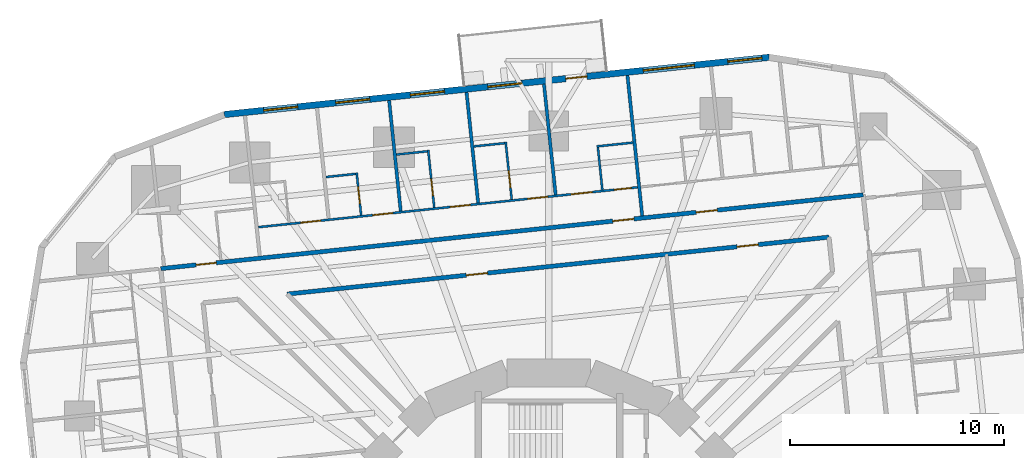
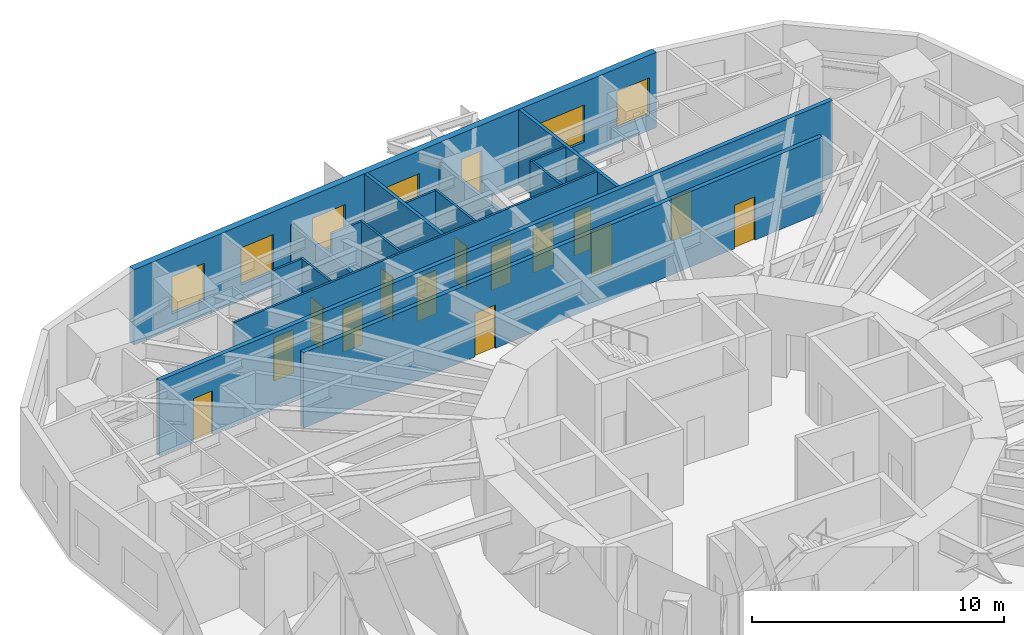
# One storey, part 11 of 15: 16 walls, 15 doors, 6 windows, 21 openings.
"""IFC4 building model written with IfcOpenShell, lengths in metres."""

from ifc_helpers import new_model, si_unit, direction, frame, frame_2d, origin, place, context, subcontext, project, spatial, rectangle, extrude, material, layer, layer_set, type_object, element, fill, save


model = new_model("IFC4")

# Units and contexts
model_context = context("Model", 3, precision=1e-05, world=origin(), true_north=direction((0.0, 1.0)))
body_context = subcontext(model_context, "Body", "Model", "MODEL_VIEW")
ifc_project = project(units=[si_unit("LENGTHUNIT", "METRE"), si_unit("AREAUNIT", "SQUARE_METRE"), si_unit("VOLUMEUNIT", "CUBIC_METRE"), si_unit("PLANEANGLEUNIT", "RADIAN"), si_unit("MASSUNIT", "GRAM", prefix="KILO")], contexts=[model_context])

# Site, building, storey
site_placement = place(None, origin())
site = spatial("IfcSite", under=ifc_project, at=site_placement, CompositionType="ELEMENT")
building_placement = place(site_placement, origin())
building = spatial("IfcBuilding", under=site, at=building_placement, Name="Nakasero Lantern House", CompositionType="ELEMENT")
storey_placement = place(building_placement, frame((0.0, 0.0, 68.199951171875)))
storey = spatial("IfcBuildingStorey", under=building, at=storey_placement, Name="L16", CompositionType="ELEMENT", Elevation=68.199951171875)

# Wall, openings, doors
ifc_material_1 = material(Name="Blockwork", Category="masonry")
ifc_layer_1 = layer(ifc_material_1, 0.10009765625)
ifc_layer_set_1 = layer_set([ifc_layer_1], Name="Cluster hall wall 100")
wall_type_1 = type_object("IfcWallType", Name="Cluster hall wall 100", PredefinedType="PARTITIONING", material=ifc_layer_set_1)
wall_1_placement = place(storey_placement, frame((4.143798828125, 18.484375, 0.0), z_axis=(0.0, 0.0, 1.0), x_axis=(-0.994522331519, -0.104524313484, 0.0)))
wall_1 = element("IfcWall", 1, at=wall_1_placement, inside=storey, type_object=wall_type_1, Name="Cluster hall wall L16 HW1-1", PredefinedType="PARTITIONING", context=body_context, shape_type="SweptSolid", body=[
    extrude(rectangle(XDim=17.8193359375, YDim=0.10009765625, at=frame_2d((8.90966796875, 0.0))), origin(), (0.0, 0.0, 1.0), 3.650146484375),
])
opening_1_placement = place(wall_1_placement, frame((2.125, 0.0, 0.0)))
opening_1 = element("IfcOpeningElement", 2, at=opening_1_placement, cuts=wall_1, Name="Opening D03", PredefinedType="OPENING", context=body_context, shape_type="SweptSolid", body=[
    extrude(rectangle(XDim=1.0, YDim=2.10009765625, at=frame_2d((0.5, 1.050048828125))), frame((0.0, 0.070068359375, 0.0), z_axis=(0.0, -1.0, 0.0), x_axis=(1.0, 0.0, 0.0)), (0.0, 0.0, 1.0), 0.14013671875),
])
opening_2_placement = place(wall_1_placement, frame((0.300048828125, 0.0, 0.0)))
opening_2 = element("IfcOpeningElement", 3, at=opening_2_placement, cuts=wall_1, Name="Opening D02", PredefinedType="OPENING", context=body_context, shape_type="SweptSolid", body=[
    extrude(rectangle(XDim=0.800048828125, YDim=2.10009765625, at=frame_2d((0.39990234375, 1.050048828125))), frame((0.0, 0.070068359375, 0.0), z_axis=(0.0, -1.0, 0.0), x_axis=(1.0, 0.0, 0.0)), (0.0, 0.0, 1.0), 0.14013671875),
])
opening_3_placement = place(wall_1_placement, frame((4.22119140625, 0.0, 0.0)))
opening_3 = element("IfcOpeningElement", 4, at=opening_3_placement, cuts=wall_1, Name="Opening D01", PredefinedType="OPENING", context=body_context, shape_type="SweptSolid", body=[
    extrude(rectangle(XDim=0.949951171875, YDim=2.10009765625, at=frame_2d((0.47509765625, 1.050048828125))), frame((0.0, 0.070068359375, 0.0), z_axis=(0.0, -1.0, 0.0), x_axis=(1.0, 0.0, 0.0)), (0.0, 0.0, 1.0), 0.14013671875),
])
opening_4_placement = place(wall_1_placement, frame((7.859619140625, 0.0, 0.0)))
opening_4 = element("IfcOpeningElement", 5, at=opening_4_placement, cuts=wall_1, Name="Opening D01", PredefinedType="OPENING", context=body_context, shape_type="SweptSolid", body=[
    extrude(rectangle(XDim=0.949951171875, YDim=2.10009765625, at=frame_2d((0.47509765625, 1.050048828125))), frame((0.0, 0.070068359375, 0.0), z_axis=(0.0, -1.0, 0.0), x_axis=(1.0, 0.0, 0.0)), (0.0, 0.0, 1.0), 0.14013671875),
])
opening_5_placement = place(wall_1_placement, frame((11.498291015625, 0.0, 0.0)))
opening_5 = element("IfcOpeningElement", 6, at=opening_5_placement, cuts=wall_1, Name="Opening D01", PredefinedType="OPENING", context=body_context, shape_type="SweptSolid", body=[
    extrude(rectangle(XDim=0.949951171875, YDim=2.10009765625, at=frame_2d((0.47509765625, 1.050048828125))), frame((0.0, 0.070068359375, 0.0), z_axis=(0.0, -1.0, 0.0), x_axis=(1.0, 0.0, 0.0)), (0.0, 0.0, 1.0), 0.14013671875),
])
opening_6_placement = place(wall_1_placement, frame((14.8837890625, 0.0, 0.0)))
opening_6 = element("IfcOpeningElement", 7, at=opening_6_placement, cuts=wall_1, Name="Opening D01", PredefinedType="OPENING", context=body_context, shape_type="SweptSolid", body=[
    extrude(rectangle(XDim=0.949951171875, YDim=2.10009765625, at=frame_2d((0.47509765625, 1.050048828125))), frame((0.0, 0.070068359375, 0.0), z_axis=(0.0, -1.0, 0.0), x_axis=(1.0, 0.0, 0.0)), (0.0, 0.0, 1.0), 0.14013671875),
])
ifc_material_2 = material(Name="Timber C24", Category="wood")
door_type_1 = type_object("IfcDoorType", Name="Bedroom door FD30S 950", OperationType="SINGLE_SWING_LEFT", PredefinedType="DOOR", material=ifc_material_2)
door_1_placement = place(opening_3_placement, origin())
door_1 = element("IfcDoor", 8, at=door_1_placement, inside=storey, type_object=door_type_1, Name="Door L16 D1-04", OperationType="SINGLE_SWING_LEFT", OverallHeight=2.10009765625, OverallWidth=0.949951171875, PredefinedType="DOOR", context=body_context, shape_type="SweptSolid", body=[
    extrude(rectangle(XDim=0.949951171875, YDim=2.10009765625, at=frame_2d((0.47509765625, 1.050048828125))), frame((0.0, 0.02490234375, 0.0), z_axis=(0.0, -1.0, 0.0), x_axis=(1.0, 0.0, 0.0)), (0.0, 0.0, 1.0), 0.050048828125),
])
fill(opening_3, door_1)
door_2_placement = place(opening_4_placement, origin())
door_2 = element("IfcDoor", 9, at=door_2_placement, inside=storey, type_object=door_type_1, Name="Door L16 D1-05", OperationType="SINGLE_SWING_LEFT", OverallHeight=2.10009765625, OverallWidth=0.949951171875, PredefinedType="DOOR", context=body_context, shape_type="SweptSolid", body=[
    extrude(rectangle(XDim=0.949951171875, YDim=2.10009765625, at=frame_2d((0.47509765625, 1.050048828125))), frame((0.0, 0.02490234375, 0.0), z_axis=(0.0, -1.0, 0.0), x_axis=(1.0, 0.0, 0.0)), (0.0, 0.0, 1.0), 0.050048828125),
])
fill(opening_4, door_2)
door_3_placement = place(opening_5_placement, origin())
door_3 = element("IfcDoor", 10, at=door_3_placement, inside=storey, type_object=door_type_1, Name="Door L16 D1-06", OperationType="SINGLE_SWING_RIGHT", OverallHeight=2.10009765625, OverallWidth=0.949951171875, PredefinedType="DOOR", context=body_context, shape_type="SweptSolid", body=[
    extrude(rectangle(XDim=0.949951171875, YDim=2.10009765625, at=frame_2d((0.47509765625, 1.050048828125))), frame((0.0, 0.02490234375, 0.0), z_axis=(0.0, -1.0, 0.0), x_axis=(1.0, 0.0, 0.0)), (0.0, 0.0, 1.0), 0.050048828125),
])
fill(opening_5, door_3)
door_4_placement = place(opening_6_placement, origin())
door_4 = element("IfcDoor", 11, at=door_4_placement, inside=storey, type_object=door_type_1, Name="Door L16 D1-07", OperationType="SINGLE_SWING_RIGHT", OverallHeight=2.10009765625, OverallWidth=0.949951171875, PredefinedType="DOOR", context=body_context, shape_type="SweptSolid", body=[
    extrude(rectangle(XDim=0.949951171875, YDim=2.10009765625, at=frame_2d((0.47509765625, 1.050048828125))), frame((0.0, 0.02490234375, 0.0), z_axis=(0.0, -1.0, 0.0), x_axis=(1.0, 0.0, 0.0)), (0.0, 0.0, 1.0), 0.050048828125),
])
fill(opening_6, door_4)
ifc_material_3 = material(Name="Timber C24", Category="wood")
door_type_2 = type_object("IfcDoorType", Name="En-suite door 800", OperationType="SINGLE_SWING_RIGHT", PredefinedType="DOOR", material=ifc_material_3)
door_5_placement = place(opening_2_placement, origin())
door_5 = element("IfcDoor", 12, at=door_5_placement, inside=storey, type_object=door_type_2, Name="Door L16 DSH1-1", OperationType="SINGLE_SWING_LEFT", OverallHeight=2.10009765625, OverallWidth=0.800048828125, PredefinedType="DOOR", context=body_context, shape_type="SweptSolid", body=[
    extrude(rectangle(XDim=0.800048828125, YDim=2.10009765625, at=frame_2d((0.39990234375, 1.050048828125))), frame((0.0, 0.02490234375, 0.0), z_axis=(0.0, -1.0, 0.0), x_axis=(1.0, 0.0, 0.0)), (0.0, 0.0, 1.0), 0.050048828125),
])
fill(opening_2, door_5)
ifc_material_4 = material(Name="Timber C24", Category="wood")
door_type_3 = type_object("IfcDoorType", Name="Lounge door FD30S 1000", OperationType="SINGLE_SWING_LEFT", PredefinedType="DOOR", material=ifc_material_4)
door_6_placement = place(opening_1_placement, origin())
door_6 = element("IfcDoor", 13, at=door_6_placement, inside=storey, type_object=door_type_3, Name="Door L16 DH1-1", OperationType="SINGLE_SWING_LEFT", OverallHeight=2.10009765625, OverallWidth=1.0, PredefinedType="DOOR", context=body_context, shape_type="SweptSolid", body=[
    extrude(rectangle(XDim=1.0, YDim=2.10009765625, at=frame_2d((0.5, 1.050048828125))), frame((0.0, 0.02490234375, 0.0), z_axis=(0.0, -1.0, 0.0), x_axis=(1.0, 0.0, 0.0)), (0.0, 0.0, 1.0), 0.050048828125),
])
fill(opening_1, door_6)

ifc_material_5 = material(Name="Blockwork", Category="masonry")
ifc_layer_2 = layer(ifc_material_5, 0.199951171875)
ifc_layer_set_2 = layer_set([ifc_layer_2], Name="Corridor wall 200")
wall_type_2 = type_object("IfcWallType", Name="Corridor wall 200", PredefinedType="PARTITIONING", material=ifc_layer_set_2)
wall_2_placement = place(storey_placement, frame((14.684814453125, 18.13427734375, 0.0), z_axis=(0.0, 0.0, 1.0), x_axis=(-0.994521777723, -0.10452958258, 0.0)))
wall_2 = element("IfcWall", 14, at=wall_2_placement, inside=storey, type_object=wall_type_2, Name="Corridor wall L16 CW1", PredefinedType="PARTITIONING", context=body_context, shape_type="SweptSolid", body=[
    extrude(rectangle(XDim=32.999755859375, YDim=0.199951171875, at=frame_2d((16.5, 0.0))), origin(), (0.0, 0.0, 1.0), 3.650146484375),
])
opening_7_placement = place(wall_2_placement, frame((6.8505859375, 0.0, 0.0)))
opening_7 = element("IfcOpeningElement", 15, at=opening_7_placement, cuts=wall_2, Name="Opening D14", PredefinedType="OPENING", context=body_context, shape_type="SweptSolid", body=[
    extrude(rectangle(XDim=1.0, YDim=2.10009765625, at=frame_2d((0.5, 1.050048828125))), frame((0.0, 0.119873046875, 0.0), z_axis=(0.0, -1.0, 0.0), x_axis=(1.0, 0.0, 0.0)), (0.0, 0.0, 1.0), 0.239990234375),
])
opening_8_placement = place(wall_2_placement, frame((10.771728515625, 0.0, 0.0)))
opening_8 = element("IfcOpeningElement", 16, at=opening_8_placement, cuts=wall_2, Name="Opening D14", PredefinedType="OPENING", context=body_context, shape_type="SweptSolid", body=[
    extrude(rectangle(XDim=1.0, YDim=2.10009765625, at=frame_2d((0.5, 1.050048828125))), frame((0.0, 0.119873046875, 0.0), z_axis=(0.0, -1.0, 0.0), x_axis=(1.0, 0.0, 0.0)), (0.0, 0.0, 1.0), 0.239990234375),
])
opening_9_placement = place(wall_2_placement, frame((30.39111328125, 0.0, 0.0)))
opening_9 = element("IfcOpeningElement", 17, at=opening_9_placement, cuts=wall_2, Name="Opening D01", PredefinedType="OPENING", context=body_context, shape_type="SweptSolid", body=[
    extrude(rectangle(XDim=0.949951171875, YDim=2.10009765625, at=frame_2d((0.47509765625, 1.050048828125))), frame((0.0, 0.119873046875, 0.0), z_axis=(0.0, -1.0, 0.0), x_axis=(1.0, 0.0, 0.0)), (0.0, 0.0, 1.0), 0.239990234375),
])
door_7_placement = place(opening_9_placement, origin())
door_7 = element("IfcDoor", 18, at=door_7_placement, inside=storey, type_object=door_type_1, Name="Door L16 D1-08", OperationType="SINGLE_SWING_RIGHT", OverallHeight=2.10009765625, OverallWidth=0.949951171875, PredefinedType="DOOR", context=body_context, shape_type="SweptSolid", body=[
    extrude(rectangle(XDim=0.949951171875, YDim=2.10009765625, at=frame_2d((0.47509765625, 1.050048828125))), frame((0.0, 0.02490234375, 0.0), z_axis=(0.0, -1.0, 0.0), x_axis=(1.0, 0.0, 0.0)), (0.0, 0.0, 1.0), 0.050048828125),
])
fill(opening_9, door_7)
ifc_material_6 = material(Name="Timber C24", Category="wood")
door_type_4 = type_object("IfcDoorType", Name="Cluster entrance door FD30S 1000", OperationType="SINGLE_SWING_LEFT", PredefinedType="DOOR", material=ifc_material_6)
door_8_placement = place(opening_7_placement, origin())
door_8 = element("IfcDoor", 19, at=door_8_placement, inside=storey, type_object=door_type_4, Name="Door L16 DF1-0", OperationType="SINGLE_SWING_LEFT", OverallHeight=2.10009765625, OverallWidth=1.0, PredefinedType="DOOR", context=body_context, shape_type="SweptSolid", body=[
    extrude(rectangle(XDim=1.0, YDim=2.10009765625, at=frame_2d((0.5, 1.050048828125))), frame((0.0, 0.02490234375, 0.0), z_axis=(0.0, -1.0, 0.0), x_axis=(1.0, 0.0, 0.0)), (0.0, 0.0, 1.0), 0.050048828125),
])
fill(opening_7, door_8)
door_9_placement = place(opening_8_placement, origin())
door_9 = element("IfcDoor", 20, at=door_9_placement, inside=storey, type_object=door_type_4, Name="Door L16 DF1-1", OperationType="SINGLE_SWING_LEFT", OverallHeight=2.10009765625, OverallWidth=1.0, PredefinedType="DOOR", context=body_context, shape_type="SweptSolid", body=[
    extrude(rectangle(XDim=1.0, YDim=2.10009765625, at=frame_2d((0.5, 1.050048828125))), frame((0.0, 0.02490234375, 0.0), z_axis=(0.0, -1.0, 0.0), x_axis=(1.0, 0.0, 0.0)), (0.0, 0.0, 1.0), 0.050048828125),
])
fill(opening_8, door_9)

wall_3_placement = place(storey_placement, frame((13.0830078125, 16.156005859375, 0.0), z_axis=(0.0, 0.0, 1.0), x_axis=(-0.994522473358, -0.104522963916, 0.0)))
wall_3 = element("IfcWall", 21, at=wall_3_placement, inside=storey, type_object=wall_type_2, Name="Corridor wall L16 IW1-0", PredefinedType="PARTITIONING", context=body_context, shape_type="SweptSolid", body=[
    extrude(rectangle(XDim=25.44580078125, YDim=0.199951171875, at=frame_2d((12.722900390625, 0.0))), origin(), (0.0, 0.0, 1.0), 3.650146484375),
])
opening_10_placement = place(wall_3_placement, frame((3.31689453125, 0.0, 0.0)))
opening_10 = element("IfcOpeningElement", 22, at=opening_10_placement, cuts=wall_3, Name="Opening D07", PredefinedType="OPENING", context=body_context, shape_type="SweptSolid", body=[
    extrude(rectangle(XDim=1.0, YDim=2.10009765625, at=frame_2d((0.5, 1.050048828125))), frame((0.0, 0.119873046875, 0.0), z_axis=(0.0, -1.0, 0.0), x_axis=(1.0, 0.0, 0.0)), (0.0, 0.0, 1.0), 0.239990234375),
])
opening_11_placement = place(wall_3_placement, frame((16.039794921875, 0.0, 0.0)))
opening_11 = element("IfcOpeningElement", 23, at=opening_11_placement, cuts=wall_3, Name="Opening D07", PredefinedType="OPENING", context=body_context, shape_type="SweptSolid", body=[
    extrude(rectangle(XDim=1.0, YDim=2.10009765625, at=frame_2d((0.5, 1.050048828125))), frame((0.0, 0.119873046875, 0.0), z_axis=(0.0, -1.0, 0.0), x_axis=(1.0, 0.0, 0.0)), (0.0, 0.0, 1.0), 0.239990234375),
])
ifc_material_7 = material(Name="Timber C24", Category="wood")
door_type_5 = type_object("IfcDoorType", Name="Room door FD30S 1000", OperationType="SINGLE_SWING_LEFT", PredefinedType="DOOR", material=ifc_material_7)
door_10_placement = place(opening_10_placement, origin())
door_10 = element("IfcDoor", 24, at=door_10_placement, inside=storey, type_object=door_type_5, Name="Door L16 DI2", OperationType="SINGLE_SWING_LEFT", OverallHeight=2.10009765625, OverallWidth=1.0, PredefinedType="DOOR", context=body_context, shape_type="SweptSolid", body=[
    extrude(rectangle(XDim=1.0, YDim=2.10009765625, at=frame_2d((0.5, 1.050048828125))), frame((0.0, 0.02490234375, 0.0), z_axis=(0.0, -1.0, 0.0), x_axis=(1.0, 0.0, 0.0)), (0.0, 0.0, 1.0), 0.050048828125),
])
fill(opening_10, door_10)
door_11_placement = place(opening_11_placement, origin())
door_11 = element("IfcDoor", 25, at=door_11_placement, inside=storey, type_object=door_type_5, Name="Door L16 DI2S", OperationType="SINGLE_SWING_RIGHT", OverallHeight=2.10009765625, OverallWidth=1.0, PredefinedType="DOOR", context=body_context, shape_type="SweptSolid", body=[
    extrude(rectangle(XDim=1.0, YDim=2.10009765625, at=frame_2d((0.5, 1.050048828125))), frame((0.0, 0.02490234375, 0.0), z_axis=(0.0, -1.0, 0.0), x_axis=(1.0, 0.0, 0.0)), (0.0, 0.0, 1.0), 0.050048828125),
])
fill(opening_11, door_11)

# Walls
ifc_material_8 = material(Name="Blockwork", Category="masonry")
ifc_layer_3 = layer(ifc_material_8, 0.10009765625)
ifc_layer_set_3 = layer_set([ifc_layer_3], Name="En-suite wall 100")
wall_type_3 = type_object("IfcWallType", Name="En-suite wall 100", PredefinedType="PARTITIONING", material=ifc_layer_set_3)
wall_4_placement = place(storey_placement, frame((2.49755859375, 18.361572265625, 0.0), z_axis=(0.0, 0.0, 1.0), x_axis=(-0.104509292252, 0.994523910136, 0.0)))
element("IfcWall", 26, at=wall_4_placement, inside=storey, type_object=wall_type_3, Name="En-suite wall L16 SS1-1", PredefinedType="PARTITIONING", context=body_context, shape_type="SweptSolid", body=[
    extrude(rectangle(XDim=2.10009765625, YDim=0.10009765625, at=frame_2d((1.050048828125, 0.0))), origin(), (0.0, 0.0, 1.0), 3.650146484375),
])
wall_5_placement = place(storey_placement, frame((3.92431640625, 20.572998046875, 0.0), z_axis=(0.0, 0.0, 1.0), x_axis=(-0.994519608382, -0.104550220202, 0.0)))
element("IfcWall", 27, at=wall_5_placement, inside=storey, type_object=wall_type_3, Name="En-suite wall L16 SE1-1", PredefinedType="PARTITIONING", context=body_context, shape_type="SweptSolid", body=[
    extrude(rectangle(XDim=1.699951171875, YDim=0.10009765625, at=frame_2d((0.85009765625, 0.0))), origin(), (0.0, 0.0, 1.0), 3.650146484375),
])

# Wall, opening, door
wall_6_placement = place(storey_placement, frame((-1.73876953125, 17.91650390625, 0.0), z_axis=(0.0, 0.0, 1.0), x_axis=(-0.104534153452, 0.994521297289, 0.0)))
wall_6 = element("IfcWall", 28, at=wall_6_placement, inside=storey, type_object=wall_type_3, Name="En-suite wall L16 ES1-04", PredefinedType="PARTITIONING", context=body_context, shape_type="SweptSolid", body=[
    extrude(rectangle(XDim=2.699951171875, YDim=0.10009765625, at=frame_2d((1.35009765625, 0.0))), origin(), (0.0, 0.0, 1.0), 3.650146484375),
])
opening_12_placement = place(wall_6_placement, frame((0.550048828125, 0.0, 0.0)))
opening_12 = element("IfcOpeningElement", 29, at=opening_12_placement, cuts=wall_6, Name="Opening D02", PredefinedType="OPENING", context=body_context, shape_type="SweptSolid", body=[
    extrude(rectangle(XDim=0.800048828125, YDim=2.10009765625, at=frame_2d((0.39990234375, 1.050048828125))), frame((0.0, 0.070068359375, 0.0), z_axis=(0.0, -1.0, 0.0), x_axis=(1.0, 0.0, 0.0)), (0.0, 0.0, 1.0), 0.14013671875),
])
door_12_placement = place(opening_12_placement, origin())
door_12 = element("IfcDoor", 30, at=door_12_placement, inside=storey, type_object=door_type_2, Name="Door L16 DE1-04", OperationType="SINGLE_SWING_LEFT", OverallHeight=2.10009765625, OverallWidth=0.800048828125, PredefinedType="DOOR", context=body_context, shape_type="SweptSolid", body=[
    extrude(rectangle(XDim=0.800048828125, YDim=2.10009765625, at=frame_2d((0.39990234375, 1.050048828125))), frame((0.0, 0.02490234375, 0.0), z_axis=(0.0, -1.0, 0.0), x_axis=(1.0, 0.0, 0.0)), (0.0, 0.0, 1.0), 0.050048828125),
])
fill(opening_12, door_12)

# Wall
wall_7_placement = place(storey_placement, frame((-2.0654296875, 20.546630859375, 0.0), z_axis=(0.0, 0.0, 1.0), x_axis=(-0.994519282274, -0.10455332221, 0.0)))
element("IfcWall", 31, at=wall_7_placement, inside=storey, type_object=wall_type_3, Name="En-suite wall L16 EE1-04", PredefinedType="PARTITIONING", context=body_context, shape_type="SweptSolid", body=[
    extrude(rectangle(XDim=1.4501953125, YDim=0.10009765625, at=frame_2d((0.72509765625, 0.0))), origin(), (0.0, 0.0, 1.0), 3.650146484375),
])

# Wall, opening, door
wall_8_placement = place(storey_placement, frame((-5.357421875, 17.5361328125, 0.0), z_axis=(0.0, 0.0, 1.0), x_axis=(-0.104534153452, 0.994521297289, 0.0)))
wall_8 = element("IfcWall", 32, at=wall_8_placement, inside=storey, type_object=wall_type_3, Name="En-suite wall L16 ES1-05", PredefinedType="PARTITIONING", context=body_context, shape_type="SweptSolid", body=[
    extrude(rectangle(XDim=2.699951171875, YDim=0.10009765625, at=frame_2d((1.35009765625, 0.0))), origin(), (0.0, 0.0, 1.0), 3.650146484375),
])
opening_13_placement = place(wall_8_placement, frame((0.550048828125, 0.0, 0.0)))
opening_13 = element("IfcOpeningElement", 33, at=opening_13_placement, cuts=wall_8, Name="Opening D02", PredefinedType="OPENING", context=body_context, shape_type="SweptSolid", body=[
    extrude(rectangle(XDim=0.800048828125, YDim=2.10009765625, at=frame_2d((0.39990234375, 1.050048828125))), frame((0.0, 0.070068359375, 0.0), z_axis=(0.0, -1.0, 0.0), x_axis=(1.0, 0.0, 0.0)), (0.0, 0.0, 1.0), 0.14013671875),
])
door_13_placement = place(opening_13_placement, origin())
door_13 = element("IfcDoor", 34, at=door_13_placement, inside=storey, type_object=door_type_2, Name="Door L16 DE1-05", OperationType="SINGLE_SWING_LEFT", OverallHeight=2.10009765625, OverallWidth=0.800048828125, PredefinedType="DOOR", context=body_context, shape_type="SweptSolid", body=[
    extrude(rectangle(XDim=0.800048828125, YDim=2.10009765625, at=frame_2d((0.39990234375, 1.050048828125))), frame((0.0, 0.02490234375, 0.0), z_axis=(0.0, -1.0, 0.0), x_axis=(1.0, 0.0, 0.0)), (0.0, 0.0, 1.0), 0.050048828125),
])
fill(opening_13, door_13)

# Wall
wall_9_placement = place(storey_placement, frame((-5.68408203125, 20.166259765625, 0.0), z_axis=(0.0, 0.0, 1.0), x_axis=(-0.994519282274, -0.10455332221, 0.0)))
element("IfcWall", 35, at=wall_9_placement, inside=storey, type_object=wall_type_3, Name="En-suite wall L16 EE1-05", PredefinedType="PARTITIONING", context=body_context, shape_type="SweptSolid", body=[
    extrude(rectangle(XDim=1.4501953125, YDim=0.10009765625, at=frame_2d((0.72509765625, 0.0))), origin(), (0.0, 0.0, 1.0), 3.650146484375),
])

# Wall, opening, door
wall_10_placement = place(storey_placement, frame((-8.774169921875, 17.177001953125, 0.0), z_axis=(0.0, 0.0, 1.0), x_axis=(-0.104494148666, 0.99452550138, 0.0)))
wall_10 = element("IfcWall", 36, at=wall_10_placement, inside=storey, type_object=wall_type_3, Name="En-suite wall L16 ES1-06", PredefinedType="PARTITIONING", context=body_context, shape_type="SweptSolid", body=[
    extrude(rectangle(XDim=2.0, YDim=0.10009765625, at=frame_2d((1.0, 0.0))), origin(), (0.0, 0.0, 1.0), 3.650146484375),
])
opening_14_placement = place(wall_10_placement, frame((0.550048828125, 0.0, 0.0)))
opening_14 = element("IfcOpeningElement", 37, at=opening_14_placement, cuts=wall_10, Name="Opening D02", PredefinedType="OPENING", context=body_context, shape_type="SweptSolid", body=[
    extrude(rectangle(XDim=0.800048828125, YDim=2.10009765625, at=frame_2d((0.39990234375, 1.050048828125))), frame((0.0, 0.070068359375, 0.0), z_axis=(0.0, -1.0, 0.0), x_axis=(1.0, 0.0, 0.0)), (0.0, 0.0, 1.0), 0.14013671875),
])
door_14_placement = place(opening_14_placement, origin())
door_14 = element("IfcDoor", 38, at=door_14_placement, inside=storey, type_object=door_type_2, Name="Door L16 DE1-06", OperationType="SINGLE_SWING_LEFT", OverallHeight=2.10009765625, OverallWidth=0.800048828125, PredefinedType="DOOR", context=body_context, shape_type="SweptSolid", body=[
    extrude(rectangle(XDim=0.800048828125, YDim=2.10009765625, at=frame_2d((0.39990234375, 1.050048828125))), frame((0.0, 0.02490234375, 0.0), z_axis=(0.0, -1.0, 0.0), x_axis=(1.0, 0.0, 0.0)), (0.0, 0.0, 1.0), 0.050048828125),
])
fill(opening_14, door_14)

# Wall
wall_11_placement = place(storey_placement, frame((-9.027587890625, 19.111083984375, 0.0), z_axis=(0.0, 0.0, 1.0), x_axis=(-0.994511184598, -0.104630319263, 0.0)))
element("IfcWall", 39, at=wall_11_placement, inside=storey, type_object=wall_type_3, Name="En-suite wall L16 EE1-06", PredefinedType="PARTITIONING", context=body_context, shape_type="SweptSolid", body=[
    extrude(rectangle(XDim=1.39990234375, YDim=0.10009765625, at=frame_2d((0.699951171875, 0.0))), origin(), (0.0, 0.0, 1.0), 3.650146484375),
])

# Wall, openings, door, windows
ifc_material_9 = material(Name="Aluminium rainscreen on blockwork", Category="masonry")
ifc_layer_4 = layer(ifc_material_9, 0.300048828125)
ifc_layer_set_4 = layer_set([ifc_layer_4], Name="Facade wall 300")
wall_type_4 = type_object("IfcWallType", Name="Facade wall 300", PredefinedType="SOLIDWALL", material=ifc_layer_set_4)
wall_12_placement = place(storey_placement, frame((10.2890625, 24.56005859375, 0.0), z_axis=(0.0, 0.0, 1.0), x_axis=(-0.994521483895, -0.104532378096, 0.0)))
wall_12 = element("IfcWall", 40, at=wall_12_placement, inside=storey, type_object=wall_type_4, Name="Facade wall L16 FW1S", PredefinedType="SOLIDWALL", context=body_context, shape_type="SweptSolid", body=[
    extrude(rectangle(XDim=25.599853515625, YDim=0.300048828125, at=frame_2d((12.7998046875, 0.0))), origin(), (0.0, 0.0, 1.0), 3.650146484375),
])
opening_15_placement = place(wall_12_placement, frame((0.337890625, 0.0, 0.75)))
opening_15 = element("IfcOpeningElement", 41, at=opening_15_placement, cuts=wall_12, Name="Opening W01", PredefinedType="OPENING", context=body_context, shape_type="SweptSolid", body=[
    extrude(rectangle(XDim=1.60009765625, YDim=1.800048828125, at=frame_2d((0.800048828125, 0.89990234375))), frame((0.0, 0.169921875, 0.0), z_axis=(0.0, -1.0, 0.0), x_axis=(1.0, 0.0, 0.0)), (0.0, 0.0, 1.0), 0.340087890625),
])
opening_16_placement = place(wall_12_placement, frame((11.612060546875, 0.0, 0.75)))
opening_16 = element("IfcOpeningElement", 42, at=opening_16_placement, cuts=wall_12, Name="Opening W01", PredefinedType="OPENING", context=body_context, shape_type="SweptSolid", body=[
    extrude(rectangle(XDim=1.60009765625, YDim=1.800048828125, at=frame_2d((0.800048828125, 0.89990234375))), frame((0.0, 0.169921875, 0.0), z_axis=(0.0, -1.0, 0.0), x_axis=(1.0, 0.0, 0.0)), (0.0, 0.0, 1.0), 0.340087890625),
])
opening_17_placement = place(wall_12_placement, frame((15.250732421875, 0.0, 0.75)))
opening_17 = element("IfcOpeningElement", 43, at=opening_17_placement, cuts=wall_12, Name="Opening W01", PredefinedType="OPENING", context=body_context, shape_type="SweptSolid", body=[
    extrude(rectangle(XDim=1.60009765625, YDim=1.800048828125, at=frame_2d((0.800048828125, 0.89990234375))), frame((0.0, 0.169921875, 0.0), z_axis=(0.0, -1.0, 0.0), x_axis=(1.0, 0.0, 0.0)), (0.0, 0.0, 1.0), 0.340087890625),
])
opening_18_placement = place(wall_12_placement, frame((18.7626953125, 0.0, 0.75)))
opening_18 = element("IfcOpeningElement", 44, at=opening_18_placement, cuts=wall_12, Name="Opening W01", PredefinedType="OPENING", context=body_context, shape_type="SweptSolid", body=[
    extrude(rectangle(XDim=1.60009765625, YDim=1.800048828125, at=frame_2d((0.800048828125, 0.89990234375))), frame((0.0, 0.169921875, 0.0), z_axis=(0.0, -1.0, 0.0), x_axis=(1.0, 0.0, 0.0)), (0.0, 0.0, 1.0), 0.340087890625),
])
opening_19_placement = place(wall_12_placement, frame((22.1484375, 0.0, 0.75)))
opening_19 = element("IfcOpeningElement", 45, at=opening_19_placement, cuts=wall_12, Name="Opening W01", PredefinedType="OPENING", context=body_context, shape_type="SweptSolid", body=[
    extrude(rectangle(XDim=1.60009765625, YDim=1.800048828125, at=frame_2d((0.800048828125, 0.89990234375))), frame((0.0, 0.169921875, 0.0), z_axis=(0.0, -1.0, 0.0), x_axis=(1.0, 0.0, 0.0)), (0.0, 0.0, 1.0), 0.340087890625),
])
opening_20_placement = place(wall_12_placement, frame((3.51123046875, 0.0, 0.75)))
opening_20 = element("IfcOpeningElement", 46, at=opening_20_placement, cuts=wall_12, Name="Opening W03", PredefinedType="OPENING", context=body_context, shape_type="SweptSolid", body=[
    extrude(rectangle(XDim=2.39990234375, YDim=1.800048828125, at=frame_2d((1.199951171875, 0.89990234375))), frame((0.0, 0.169921875, 0.0), z_axis=(0.0, -1.0, 0.0), x_axis=(1.0, 0.0, 0.0)), (0.0, 0.0, 1.0), 0.340087890625),
])
opening_21_placement = place(wall_12_placement, frame((8.558837890625, 0.0, 0.0)))
opening_21 = element("IfcOpeningElement", 47, at=opening_21_placement, cuts=wall_12, Name="Opening D04", PredefinedType="OPENING", context=body_context, shape_type="SweptSolid", body=[
    extrude(rectangle(XDim=1.0, YDim=2.39990234375, at=frame_2d((0.5, 1.199951171875))), frame((0.0, 0.169921875, 0.0), z_axis=(0.0, -1.0, 0.0), x_axis=(1.0, 0.0, 0.0)), (0.0, 0.0, 1.0), 0.340087890625),
])
ifc_material_10 = material(Name="Aluminium 6063-T6 and glass", Category="aluminium")
door_type_6 = type_object("IfcDoorType", Name="Balcony door 1000x2400", OperationType="SINGLE_SWING_RIGHT", PredefinedType="DOOR", material=ifc_material_10)
door_15_placement = place(opening_21_placement, origin())
door_15 = element("IfcDoor", 48, at=door_15_placement, inside=storey, type_object=door_type_6, Name="Balcony door L16 DB1", OperationType="SINGLE_SWING_RIGHT", OverallHeight=2.39990234375, OverallWidth=1.0, PredefinedType="DOOR", context=body_context, shape_type="SweptSolid", body=[
    extrude(rectangle(XDim=1.0, YDim=2.39990234375, at=frame_2d((0.5, 1.199951171875))), frame((0.0, 0.02490234375, 0.0), z_axis=(0.0, -1.0, 0.0), x_axis=(1.0, 0.0, 0.0)), (0.0, 0.0, 1.0), 0.050048828125),
])
fill(opening_21, door_15)
ifc_material_11 = material(Name="Aluminium 6063-T6 and glass", Category="aluminium")
window_type_1 = type_object("IfcWindowType", Name="Bedroom window 1600x1800", PartitioningType="SINGLE_PANEL", PredefinedType="WINDOW", material=ifc_material_11)
window_1_placement = place(opening_15_placement, origin())
window_1 = element("IfcWindow", 49, at=window_1_placement, inside=storey, type_object=window_type_1, Name="Window L16 WN1-01", OverallHeight=1.800048828125, OverallWidth=1.60009765625, PartitioningType="SINGLE_PANEL", PredefinedType="WINDOW", context=body_context, shape_type="SweptSolid", body=[
    extrude(rectangle(XDim=1.60009765625, YDim=1.800048828125, at=frame_2d((0.800048828125, 0.89990234375))), frame((0.0, 0.030029296875, 0.0), z_axis=(0.0, -1.0, 0.0), x_axis=(1.0, 0.0, 0.0)), (0.0, 0.0, 1.0), 0.06005859375),
])
fill(opening_15, window_1)
window_2_placement = place(opening_16_placement, origin())
window_2 = element("IfcWindow", 50, at=window_2_placement, inside=storey, type_object=window_type_1, Name="Window L16 WN1-04", OverallHeight=1.800048828125, OverallWidth=1.60009765625, PartitioningType="SINGLE_PANEL", PredefinedType="WINDOW", context=body_context, shape_type="SweptSolid", body=[
    extrude(rectangle(XDim=1.60009765625, YDim=1.800048828125, at=frame_2d((0.800048828125, 0.89990234375))), frame((0.0, 0.030029296875, 0.0), z_axis=(0.0, -1.0, 0.0), x_axis=(1.0, 0.0, 0.0)), (0.0, 0.0, 1.0), 0.06005859375),
])
fill(opening_16, window_2)
window_3_placement = place(opening_17_placement, origin())
window_3 = element("IfcWindow", 51, at=window_3_placement, inside=storey, type_object=window_type_1, Name="Window L16 WN1-05", OverallHeight=1.800048828125, OverallWidth=1.60009765625, PartitioningType="SINGLE_PANEL", PredefinedType="WINDOW", context=body_context, shape_type="SweptSolid", body=[
    extrude(rectangle(XDim=1.60009765625, YDim=1.800048828125, at=frame_2d((0.800048828125, 0.89990234375))), frame((0.0, 0.030029296875, 0.0), z_axis=(0.0, -1.0, 0.0), x_axis=(1.0, 0.0, 0.0)), (0.0, 0.0, 1.0), 0.06005859375),
])
fill(opening_17, window_3)
window_4_placement = place(opening_18_placement, origin())
window_4 = element("IfcWindow", 52, at=window_4_placement, inside=storey, type_object=window_type_1, Name="Window L16 WN1-06", OverallHeight=1.800048828125, OverallWidth=1.60009765625, PartitioningType="SINGLE_PANEL", PredefinedType="WINDOW", context=body_context, shape_type="SweptSolid", body=[
    extrude(rectangle(XDim=1.60009765625, YDim=1.800048828125, at=frame_2d((0.800048828125, 0.89990234375))), frame((0.0, 0.030029296875, 0.0), z_axis=(0.0, -1.0, 0.0), x_axis=(1.0, 0.0, 0.0)), (0.0, 0.0, 1.0), 0.06005859375),
])
fill(opening_18, window_4)
window_5_placement = place(opening_19_placement, origin())
window_5 = element("IfcWindow", 53, at=window_5_placement, inside=storey, type_object=window_type_1, Name="Window L16 WN1-07", OverallHeight=1.800048828125, OverallWidth=1.60009765625, PartitioningType="SINGLE_PANEL", PredefinedType="WINDOW", context=body_context, shape_type="SweptSolid", body=[
    extrude(rectangle(XDim=1.60009765625, YDim=1.800048828125, at=frame_2d((0.800048828125, 0.89990234375))), frame((0.0, 0.030029296875, 0.0), z_axis=(0.0, -1.0, 0.0), x_axis=(1.0, 0.0, 0.0)), (0.0, 0.0, 1.0), 0.06005859375),
])
fill(opening_19, window_5)
ifc_material_12 = material(Name="Aluminium 6063-T6 and glass", Category="aluminium")
window_type_2 = type_object("IfcWindowType", Name="Lounge window 2400x1800", PartitioningType="SINGLE_PANEL", PredefinedType="WINDOW", material=ifc_material_12)
window_6_placement = place(opening_20_placement, origin())
window_6 = element("IfcWindow", 54, at=window_6_placement, inside=storey, type_object=window_type_2, Name="Window L16 WK1", OverallHeight=1.800048828125, OverallWidth=2.39990234375, PartitioningType="SINGLE_PANEL", PredefinedType="WINDOW", context=body_context, shape_type="SweptSolid", body=[
    extrude(rectangle(XDim=2.39990234375, YDim=1.800048828125, at=frame_2d((1.199951171875, 0.89990234375))), frame((0.0, 0.030029296875, 0.0), z_axis=(0.0, -1.0, 0.0), x_axis=(1.0, 0.0, 0.0)), (0.0, 0.0, 1.0), 0.06005859375),
])
fill(opening_20, window_6)

# Walls
ifc_material_13 = material(Name="Blockwork", Category="masonry")
ifc_layer_5 = layer(ifc_material_13, 0.14990234375)
ifc_layer_set_5 = layer_set([ifc_layer_5], Name="Party wall 150")
wall_type_5 = type_object("IfcWallType", Name="Party wall 150", PredefinedType="PARTITIONING", material=ifc_layer_set_5)
wall_13_placement = place(storey_placement, frame((4.359619140625, 17.149658203125, 0.0), z_axis=(0.0, 0.0, 1.0), x_axis=(-0.104538438287, 0.994520846901, 0.0)))
element("IfcWall", 55, at=wall_13_placement, inside=storey, type_object=wall_type_5, Name="Party wall L16 PW1-03", PredefinedType="PARTITIONING", context=body_context, shape_type="SweptSolid", body=[
    extrude(rectangle(XDim=6.599853515625, YDim=0.14990234375, at=frame_2d((3.2998046875, 0.0))), origin(), (0.0, 0.0, 1.0), 3.650146484375),
])
wall_14_placement = place(storey_placement, frame((0.3134765625, 18.132080078125, 0.0), z_axis=(0.0, 0.0, 1.0), x_axis=(-0.104508820017, 0.994523959761, 0.0)))
element("IfcWall", 56, at=wall_14_placement, inside=storey, type_object=wall_type_5, Name="Party wall L16 PW1-04", PredefinedType="PARTITIONING", context=body_context, shape_type="SweptSolid", body=[
    extrude(rectangle(XDim=5.2001953125, YDim=0.14990234375, at=frame_2d((2.60009765625, 0.0))), origin(), (0.0, 0.0, 1.0), 2.659912109375),
])
wall_15_placement = place(storey_placement, frame((-3.30517578125, 17.751708984375, 0.0), z_axis=(0.0, 0.0, 1.0), x_axis=(-0.104508820017, 0.994523959761, 0.0)))
element("IfcWall", 57, at=wall_15_placement, inside=storey, type_object=wall_type_5, Name="Party wall L16 PW1-05", PredefinedType="PARTITIONING", context=body_context, shape_type="SweptSolid", body=[
    extrude(rectangle(XDim=5.2001953125, YDim=0.14990234375, at=frame_2d((2.60009765625, 0.0))), origin(), (0.0, 0.0, 1.0), 3.650146484375),
])
wall_16_placement = place(storey_placement, frame((-6.923828125, 17.371337890625, 0.0), z_axis=(0.0, 0.0, 1.0), x_axis=(-0.104508820017, 0.994523959761, 0.0)))
element("IfcWall", 58, at=wall_16_placement, inside=storey, type_object=wall_type_5, Name="Party wall L16 PW1-06", PredefinedType="PARTITIONING", context=body_context, shape_type="SweptSolid", body=[
    extrude(rectangle(XDim=5.2001953125, YDim=0.14990234375, at=frame_2d((2.60009765625, 0.0))), origin(), (0.0, 0.0, 1.0), 2.669921875),
])

save(model, "model.ifc")
